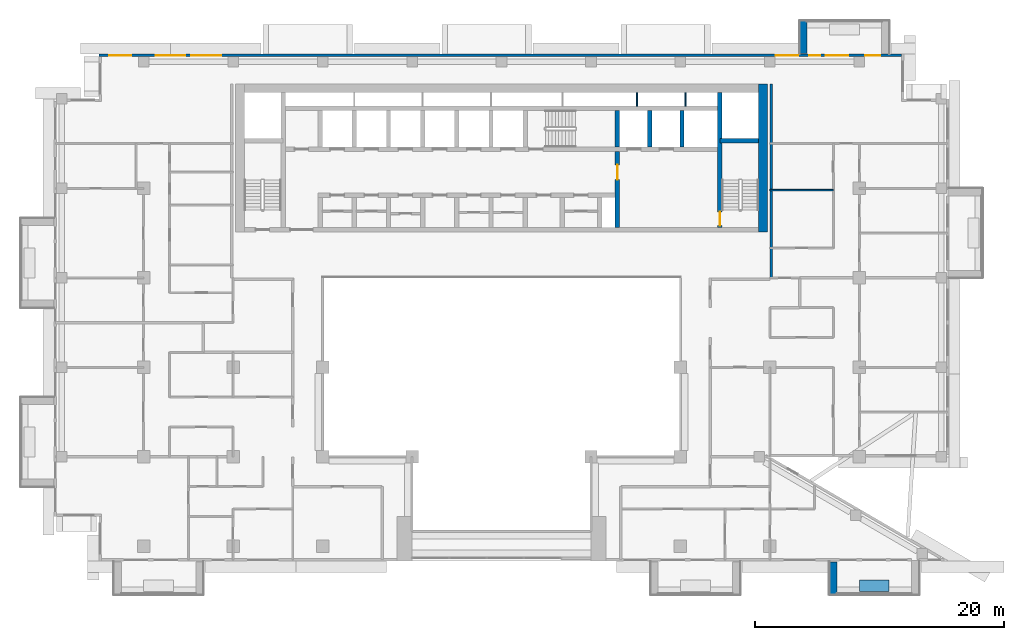
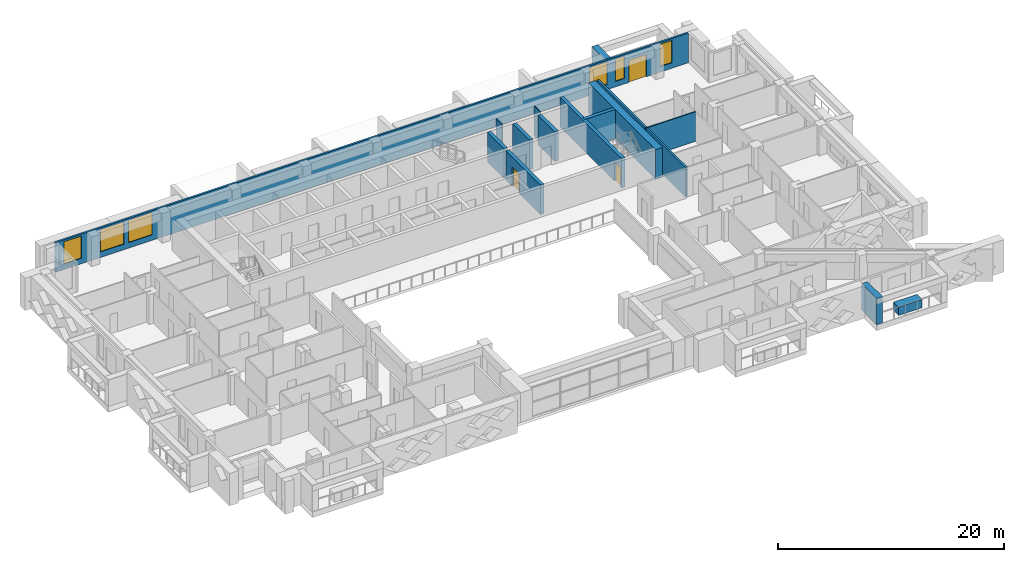
# One storey, part 11 of 20: 15 walls, 6 windows, 3 doors, 9 openings.
"""IFC4 building model written with IfcOpenShell, lengths in metres."""

from ifc_helpers import new_model, si_unit, direction, frame, frame_2d, origin, place, context, subcontext, project, spatial, rectangle, extrude, material, layer, layer_set, type_object, element, fill, save


model = new_model("IFC4")

# Units and contexts
model_context = context("Model", 3, precision=1e-05, world=origin(), true_north=direction((0.0, 1.0)))
body_context = subcontext(model_context, "Body", "Model", "MODEL_VIEW")
ifc_project = project(units=[si_unit("LENGTHUNIT", "METRE"), si_unit("AREAUNIT", "SQUARE_METRE"), si_unit("VOLUMEUNIT", "CUBIC_METRE"), si_unit("PLANEANGLEUNIT", "RADIAN"), si_unit("MASSUNIT", "GRAM", prefix="KILO")], contexts=[model_context])

# Site, building, storey
site_placement = place(None, origin())
site = spatial("IfcSite", under=ifc_project, at=site_placement, CompositionType="ELEMENT")
building_placement = place(site_placement, origin())
building = spatial("IfcBuilding", under=site, at=building_placement, Name="Saffron Iwan Residences", CompositionType="ELEMENT")
storey_placement = place(building_placement, frame((0.0, 0.0, 157.0)))
storey = spatial("IfcBuildingStorey", under=building, at=storey_placement, Name="L41", CompositionType="ELEMENT", Elevation=157.0)

# Walls
ifc_material_1 = material(Name="Concrete C50/60 white painted", Category="concrete")
ifc_layer_1 = layer(ifc_material_1, 0.60009765625)
ifc_layer_set_1 = layer_set([ifc_layer_1], Name="Concrete C50/60 white painted")
wall_type_1 = type_object("IfcWallType", Name="BALCONY FIN 600", PredefinedType="SOLIDWALL", material=ifc_layer_set_1)
for number, where, z_axis, x_axis, name in (
    (1, (74.699951171875, 80.449951171875, 0.0), (0.0, 0.0, 1.0), (0.0, 1.0, 0.0), "Balcony fin L41 F5-0b"),
    (2, (77.10009765625, 39.550048828125, 0.0), (0.0, 0.0, 1.0), (0.0, -1.0, 0.0), "Balcony fin L41 11-3a"),
):
    element("IfcWall", number, at=place(storey_placement, frame(where, z_axis=z_axis, x_axis=x_axis)), inside=storey, type_object=wall_type_1, Name=name, PredefinedType="SOLIDWALL", context=body_context, shape_type="SweptSolid", body=[
        extrude(rectangle(XDim=2.650146484375, YDim=0.60009765625, at=frame_2d((1.3251953125, 0.0))), origin(), (0.0, 0.0, 1.0), 2.85009765625),
    ])
ifc_material_2 = material(Name="Concrete C35/45 white painted", Category="concrete")
ifc_layer_2 = layer(ifc_material_2, 0.14990234375)
ifc_layer_set_2 = layer_set([ifc_layer_2], Name="Concrete C35/45 white painted")
wall_type_2 = type_object("IfcWallType", Name="BALCONY PLANTER", PredefinedType="SOLIDWALL", material=ifc_layer_set_2)
wall_1_placement = place(storey_placement, frame((79.199951171875, 37.625, 0.0), z_axis=(0.0, 0.0, 1.0), x_axis=(1.0, 0.0, 0.0)))
element("IfcWall", 3, at=wall_1_placement, inside=storey, type_object=wall_type_2, Name="PLANTER L41 11-3", PredefinedType="SOLIDWALL", context=body_context, shape_type="SweptSolid", body=[
    extrude(rectangle(XDim=2.400146484375, YDim=0.89990234375, at=frame_2d((1.2001953125, 0.0))), origin(), (0.0, 0.0, 1.0), 0.89990234375),
])

# Wall, openings, door, windows
ifc_material_3 = material(Name="Concrete C40/50", Category="concrete")
ifc_layer_3 = layer(ifc_material_3, 0.199951171875)
ifc_layer_set_3 = layer_set([ifc_layer_3], Name="Concrete C40/50")
wall_type_3 = type_object("IfcWallType", Name="EXTERNAL WALL 200", PredefinedType="SOLIDWALL", material=ifc_layer_set_3)
wall_2_placement = place(storey_placement, frame((82.60009765625, 80.300048828125, 0.0), z_axis=(0.0, 0.0, 1.0), x_axis=(-1.0, 0.0, 0.0)))
wall_2 = element("IfcWall", 4, at=wall_2_placement, inside=storey, type_object=wall_type_3, Name="External wall L41 F5.0", PredefinedType="SOLIDWALL", context=body_context, shape_type="SweptSolid", body=[
    extrude(rectangle(XDim=64.60009765625, YDim=0.199951171875, at=frame_2d((32.300048828125, 0.0))), origin(), (0.0, 0.0, 1.0), 3.199951171875),
])
opening_1_placement = place(wall_2_placement, frame((4.300048828125, 0.0, 0.0)))
opening_1 = element("IfcOpeningElement", 5, at=opening_1_placement, cuts=wall_2, Name="Opening BD1", PredefinedType="OPENING", context=body_context, shape_type="SweptSolid", body=[
    extrude(rectangle(XDim=1.800048828125, YDim=2.39990234375, at=frame_2d((0.89990234375, 1.199951171875))), frame((0.0, 0.10986328125, 0.0), z_axis=(0.0, -1.0, 0.0), x_axis=(1.0, 0.0, 0.0)), (0.0, 0.0, 1.0), 0.219970703125),
])
opening_2_placement = place(wall_2_placement, frame((54.75830078125, 0.0, 0.60009765625)))
opening_2 = element("IfcOpeningElement", 6, at=opening_2_placement, cuts=wall_2, Name="Opening W1", PredefinedType="OPENING", context=body_context, shape_type="SweptSolid", body=[
    extrude(rectangle(XDim=2.39990234375, YDim=2.39990234375, at=frame_2d((1.199951171875, 1.199951171875))), frame((0.0, 0.10986328125, 0.0), z_axis=(0.0, -1.0, 0.0), x_axis=(1.0, 0.0, 0.0)), (0.0, 0.0, 1.0), 0.219970703125),
])
opening_3_placement = place(wall_2_placement, frame((57.6416015625, 0.0, 0.60009765625)))
opening_3 = element("IfcOpeningElement", 7, at=opening_3_placement, cuts=wall_2, Name="Opening W1", PredefinedType="OPENING", context=body_context, shape_type="SweptSolid", body=[
    extrude(rectangle(XDim=2.39990234375, YDim=2.39990234375, at=frame_2d((1.199951171875, 1.199951171875))), frame((0.0, 0.10986328125, 0.0), z_axis=(0.0, -1.0, 0.0), x_axis=(1.0, 0.0, 0.0)), (0.0, 0.0, 1.0), 0.219970703125),
])
opening_4_placement = place(wall_2_placement, frame((61.987548828125, 0.0, 0.60009765625)))
opening_4 = element("IfcOpeningElement", 8, at=opening_4_placement, cuts=wall_2, Name="Opening W8", PredefinedType="OPENING", context=body_context, shape_type="SweptSolid", body=[
    extrude(rectangle(XDim=1.800048828125, YDim=2.39990234375, at=frame_2d((0.89990234375, 1.199951171875))), frame((0.0, 0.10986328125, 0.0), z_axis=(0.0, -1.0, 0.0), x_axis=(1.0, 0.0, 0.0)), (0.0, 0.0, 1.0), 0.219970703125),
])
opening_5_placement = place(wall_2_placement, frame((1.71240234375, 0.0, 0.60009765625)))
opening_5 = element("IfcOpeningElement", 9, at=opening_5_placement, cuts=wall_2, Name="Opening W3", PredefinedType="OPENING", context=body_context, shape_type="SweptSolid", body=[
    extrude(rectangle(XDim=1.199951171875, YDim=2.39990234375, at=frame_2d((0.60009765625, 1.199951171875))), frame((0.0, 0.10986328125, 0.0), z_axis=(0.0, -1.0, 0.0), x_axis=(1.0, 0.0, 0.0)), (0.0, 0.0, 1.0), 0.219970703125),
])
opening_6_placement = place(wall_2_placement, frame((6.550048828125, 0.0, 0.60009765625)))
opening_6 = element("IfcOpeningElement", 10, at=opening_6_placement, cuts=wall_2, Name="Opening W10", PredefinedType="OPENING", context=body_context, shape_type="SweptSolid", body=[
    extrude(rectangle(XDim=0.89990234375, YDim=2.39990234375, at=frame_2d((0.449951171875, 1.199951171875))), frame((0.0, 0.10986328125, 0.0), z_axis=(0.0, -1.0, 0.0), x_axis=(1.0, 0.0, 0.0)), (0.0, 0.0, 1.0), 0.219970703125),
])
opening_7_placement = place(wall_2_placement, frame((8.3125, 0.0, 0.60009765625)))
opening_7 = element("IfcOpeningElement", 11, at=opening_7_placement, cuts=wall_2, Name="Opening W8", PredefinedType="OPENING", context=body_context, shape_type="SweptSolid", body=[
    extrude(rectangle(XDim=1.800048828125, YDim=2.39990234375, at=frame_2d((0.89990234375, 1.199951171875))), frame((0.0, 0.10986328125, 0.0), z_axis=(0.0, -1.0, 0.0), x_axis=(1.0, 0.0, 0.0)), (0.0, 0.0, 1.0), 0.219970703125),
])
ifc_material_4 = material(Name="Clear glass, laminated double glazed", Category="glass")
door_type_1 = type_object("IfcDoorType", Name="BALCONY DOOR 1800 x 2400", OperationType="DOUBLE_DOOR_SLIDING", PredefinedType="DOOR", material=ifc_material_4)
door_1_placement = place(opening_1_placement, origin())
door_1 = element("IfcDoor", 12, at=door_1_placement, inside=storey, type_object=door_type_1, Name="Balcony door L41 F5.0", OperationType="DOUBLE_DOOR_SLIDING", OverallHeight=2.39990234375, OverallWidth=1.800048828125, PredefinedType="DOOR", context=body_context, shape_type="SweptSolid", body=[
    extrude(rectangle(XDim=1.800048828125, YDim=2.39990234375, at=frame_2d((0.89990234375, 1.199951171875))), frame((0.0, 0.02490234375, 0.0), z_axis=(0.0, -1.0, 0.0), x_axis=(1.0, 0.0, 0.0)), (0.0, 0.0, 1.0), 0.050048828125),
])
fill(opening_1, door_1)
window_type_1 = type_object("IfcWindowType", Name="WINDOW 1200 x 2400", PartitioningType="SINGLE_PANEL", PredefinedType="WINDOW", material=ifc_material_4)
window_1_placement = place(opening_5_placement, origin())
window_1 = element("IfcWindow", 13, at=window_1_placement, inside=storey, type_object=window_type_1, Name="Window L41 F5.4", OverallHeight=2.39990234375, OverallWidth=1.199951171875, PartitioningType="SINGLE_PANEL", PredefinedType="WINDOW", context=body_context, shape_type="SweptSolid", body=[
    extrude(rectangle(XDim=1.199951171875, YDim=2.39990234375, at=frame_2d((0.60009765625, 1.199951171875))), frame((0.0, 0.030029296875, 0.0), z_axis=(0.0, -1.0, 0.0), x_axis=(1.0, 0.0, 0.0)), (0.0, 0.0, 1.0), 0.06005859375),
])
fill(opening_5, window_1)
window_type_2 = type_object("IfcWindowType", Name="WINDOW 1800 x 2400", PartitioningType="DOUBLE_PANEL_VERTICAL", PredefinedType="WINDOW", material=ifc_material_4)
window_2_placement = place(opening_4_placement, origin())
window_2 = element("IfcWindow", 14, at=window_2_placement, inside=storey, type_object=window_type_2, Name="Window L41 F5.3", OverallHeight=2.39990234375, OverallWidth=1.800048828125, PartitioningType="DOUBLE_PANEL_VERTICAL", PredefinedType="WINDOW", context=body_context, shape_type="SweptSolid", body=[
    extrude(rectangle(XDim=1.800048828125, YDim=2.39990234375, at=frame_2d((0.89990234375, 1.199951171875))), frame((0.0, 0.030029296875, 0.0), z_axis=(0.0, -1.0, 0.0), x_axis=(1.0, 0.0, 0.0)), (0.0, 0.0, 1.0), 0.06005859375),
])
fill(opening_4, window_2)
window_3_placement = place(opening_7_placement, origin())
window_3 = element("IfcWindow", 15, at=window_3_placement, inside=storey, type_object=window_type_2, Name="Window L41 F5.6", OverallHeight=2.39990234375, OverallWidth=1.800048828125, PartitioningType="DOUBLE_PANEL_VERTICAL", PredefinedType="WINDOW", context=body_context, shape_type="SweptSolid", body=[
    extrude(rectangle(XDim=1.800048828125, YDim=2.39990234375, at=frame_2d((0.89990234375, 1.199951171875))), frame((0.0, 0.030029296875, 0.0), z_axis=(0.0, -1.0, 0.0), x_axis=(1.0, 0.0, 0.0)), (0.0, 0.0, 1.0), 0.06005859375),
])
fill(opening_7, window_3)
window_type_3 = type_object("IfcWindowType", Name="WINDOW 2400 x 2400", PartitioningType="DOUBLE_PANEL_VERTICAL", PredefinedType="WINDOW", material=ifc_material_4)
window_4_placement = place(opening_2_placement, origin())
window_4 = element("IfcWindow", 16, at=window_4_placement, inside=storey, type_object=window_type_3, Name="Window L41 F5.1", OverallHeight=2.39990234375, OverallWidth=2.39990234375, PartitioningType="DOUBLE_PANEL_VERTICAL", PredefinedType="WINDOW", context=body_context, shape_type="SweptSolid", body=[
    extrude(rectangle(XDim=2.39990234375, YDim=2.39990234375, at=frame_2d((1.199951171875, 1.199951171875))), frame((0.0, 0.030029296875, 0.0), z_axis=(0.0, -1.0, 0.0), x_axis=(1.0, 0.0, 0.0)), (0.0, 0.0, 1.0), 0.06005859375),
])
fill(opening_2, window_4)
window_5_placement = place(opening_3_placement, origin())
window_5 = element("IfcWindow", 17, at=window_5_placement, inside=storey, type_object=window_type_3, Name="Window L41 F5.2", OverallHeight=2.39990234375, OverallWidth=2.39990234375, PartitioningType="DOUBLE_PANEL_VERTICAL", PredefinedType="WINDOW", context=body_context, shape_type="SweptSolid", body=[
    extrude(rectangle(XDim=2.39990234375, YDim=2.39990234375, at=frame_2d((1.199951171875, 1.199951171875))), frame((0.0, 0.030029296875, 0.0), z_axis=(0.0, -1.0, 0.0), x_axis=(1.0, 0.0, 0.0)), (0.0, 0.0, 1.0), 0.06005859375),
])
fill(opening_3, window_5)
window_type_4 = type_object("IfcWindowType", Name="WINDOW 900 x 2400", PartitioningType="SINGLE_PANEL", PredefinedType="WINDOW", material=ifc_material_4)
window_6_placement = place(opening_6_placement, origin())
window_6 = element("IfcWindow", 18, at=window_6_placement, inside=storey, type_object=window_type_4, Name="Window L41 F5.5", OverallHeight=2.39990234375, OverallWidth=0.89990234375, PartitioningType="SINGLE_PANEL", PredefinedType="WINDOW", context=body_context, shape_type="SweptSolid", body=[
    extrude(rectangle(XDim=0.89990234375, YDim=2.39990234375, at=frame_2d((0.449951171875, 1.199951171875))), frame((0.0, 0.030029296875, 0.0), z_axis=(0.0, -1.0, 0.0), x_axis=(1.0, 0.0, 0.0)), (0.0, 0.0, 1.0), 0.06005859375),
])
fill(opening_6, window_6)

# Walls
ifc_material_5 = material(Name="Gypsum board partition")
ifc_layer_4 = layer(ifc_material_5, 0.1201171875)
ifc_layer_set_4 = layer_set([ifc_layer_4], Name="Gypsum board partition")
wall_type_4 = type_object("IfcWallType", Name="Flat partition 120", PredefinedType="PARTITIONING", material=ifc_layer_set_4)
wall_3_placement = place(storey_placement, frame((72.0, 69.449951171875, 0.0), z_axis=(0.0, 0.0, 1.0), x_axis=(1.0, 0.0, 0.0)))
element("IfcWall", 19, at=wall_3_placement, inside=storey, type_object=wall_type_4, Name="W-L41-PART-h69.45-72", PredefinedType="PARTITIONING", context=body_context, shape_type="SweptSolid", body=[
    extrude(rectangle(XDim=5.10009765625, YDim=0.1201171875, at=frame_2d((2.550048828125, 0.0))), origin(), (0.0, 0.0, 1.0), 3.199951171875),
])
ifc_material_6 = material(Name="Fire-rated gypsum board wall")
ifc_layer_5 = layer(ifc_material_6, 0.199951171875)
ifc_layer_set_5 = layer_set([ifc_layer_5], Name="Fire-rated gypsum board wall")
wall_type_5 = type_object("IfcWallType", Name="Gallery wall 200", PredefinedType="SOLIDWALL", material=ifc_layer_set_5)
wall_4_placement = place(storey_placement, frame((72.10009765625, 62.39990234375, 0.0), z_axis=(0.0, 0.0, 1.0), x_axis=(0.0, 1.0, 0.0)))
element("IfcWall", 20, at=wall_4_placement, inside=storey, type_object=wall_type_5, Name="W-L41-CORR-v72-62.4", PredefinedType="SOLIDWALL", context=body_context, shape_type="SweptSolid", body=[
    extrude(rectangle(XDim=15.60009765625, YDim=0.199951171875, at=frame_2d((7.800048828125, 0.0))), origin(), (0.0, 0.0, 1.0), 3.199951171875),
])
ifc_material_7 = material(Name="Fire-rated plasterboard partition")
ifc_layer_6 = layer(ifc_material_7, 0.10009765625)
ifc_layer_set_6 = layer_set([ifc_layer_6], Name="Fire-rated plasterboard partition")
wall_type_6 = type_object("IfcWallType", Name="Riser partition 100", PredefinedType="PARTITIONING", material=ifc_layer_set_6)
for number, where, z_axis, x_axis, name in (
    (21, (61.300048828125, 76.22509765625, 0.0), (0.0, 0.0, 1.0), (0.0, 1.0, 0.0), "Core partition P11"),
    (22, (65.199951171875, 76.22509765625, 0.0), (0.0, 0.0, 1.0), (0.0, 1.0, 0.0), "Core partition P12"),
):
    element("IfcWall", number, at=place(storey_placement, frame(where, z_axis=z_axis, x_axis=x_axis)), inside=storey, type_object=wall_type_6, Name=name, PredefinedType="PARTITIONING", context=body_context, shape_type="SweptSolid", body=[
        extrude(rectangle(XDim=1.074951171875, YDim=0.10009765625, at=frame_2d((0.53759765625, 0.0))), origin(), (0.0, 0.0, 1.0), 3.199951171875),
    ])
ifc_material_8 = material(Name="Concrete C50/60", Category="concrete")
ifc_layer_7 = layer(ifc_material_8, 0.35009765625)
ifc_layer_set_7 = layer_set([ifc_layer_7], Name="Concrete C50/60")
wall_type_7 = type_object("IfcWallType", Name="WALL CORE 350 C50/60 3200 HIGH", PredefinedType="SHEAR", material=ifc_layer_set_7)
wall_5_placement = place(storey_placement, frame((67.97509765625, 73.425048828125, 0.0), z_axis=(0.0, 0.0, 1.0), x_axis=(1.0, 0.0, 0.0)))
element("IfcWall", 23, at=wall_5_placement, inside=storey, type_object=wall_type_7, Name="Core wall", PredefinedType="SHEAR", context=body_context, shape_type="SweptSolid", body=[
    extrude(rectangle(XDim=3.125, YDim=0.35009765625, at=frame_2d((1.5625, 0.0))), origin(), (0.0, 0.0, 1.0), 3.199951171875),
])

# Wall, opening, door
wall_6_placement = place(storey_placement, frame((67.97509765625, 66.449951171875, 0.0), z_axis=(0.0, 0.0, 1.0), x_axis=(0.0, 1.0, 0.0)))
wall_6 = element("IfcWall", 24, at=wall_6_placement, inside=storey, type_object=wall_type_7, Name="Core wall", PredefinedType="SHEAR", context=body_context, shape_type="SweptSolid", body=[
    extrude(rectangle(XDim=10.85009765625, YDim=0.35009765625, at=frame_2d((5.425048828125, 0.0))), origin(), (0.0, 0.0, 1.0), 3.199951171875),
])
opening_8_placement = place(wall_6_placement, frame((0.14990234375, 0.0, 0.0)))
opening_8 = element("IfcOpeningElement", 25, at=opening_8_placement, cuts=wall_6, Name="Opening SD", PredefinedType="OPENING", context=body_context, shape_type="SweptSolid", body=[
    extrude(rectangle(XDim=1.10009765625, YDim=2.10009765625, at=frame_2d((0.550048828125, 1.050048828125))), frame((0.0, 0.18505859375, 0.0), z_axis=(0.0, -1.0, 0.0), x_axis=(1.0, 0.0, 0.0)), (0.0, 0.0, 1.0), 0.3701171875),
])
ifc_material_9 = material(Name="Steel fire door", Category="steel")
door_type_2 = type_object("IfcDoorType", Name="Stair door 1100", OperationType="NOTDEFINED", PredefinedType="DOOR", material=ifc_material_9)
door_2_placement = place(opening_8_placement, origin())
door_2 = element("IfcDoor", 26, at=door_2_placement, inside=storey, type_object=door_type_2, Name="Stair door ST-E", OperationType="SINGLE_SWING_LEFT", OverallHeight=2.10009765625, OverallWidth=1.10009765625, PredefinedType="DOOR", context=body_context, shape_type="SweptSolid", body=[
    extrude(rectangle(XDim=1.10009765625, YDim=2.10009765625, at=frame_2d((0.550048828125, 1.050048828125))), frame((0.0, 0.02490234375, 0.0), z_axis=(0.0, -1.0, 0.0), x_axis=(1.0, 0.0, 0.0)), (0.0, 0.0, 1.0), 0.050048828125),
])
fill(opening_8, door_2)

wall_7_placement = place(storey_placement, frame((59.72509765625, 66.449951171875, 0.0), z_axis=(0.0, 0.0, 1.0), x_axis=(0.0, 1.0, 0.0)))
wall_7 = element("IfcWall", 27, at=wall_7_placement, inside=storey, type_object=wall_type_7, Name="Core wall", PredefinedType="SHEAR", context=body_context, shape_type="SweptSolid", body=[
    extrude(rectangle(XDim=6.125, YDim=0.35009765625, at=frame_2d((3.0625, 0.0))), origin(), (0.0, 0.0, 1.0), 3.199951171875),
])
opening_9_placement = place(wall_7_placement, frame((3.85009765625, 0.0, 0.0)))
opening_9 = element("IfcOpeningElement", 28, at=opening_9_placement, cuts=wall_7, Name="Opening FD", PredefinedType="OPENING", context=body_context, shape_type="SweptSolid", body=[
    extrude(rectangle(XDim=1.199951171875, YDim=2.10009765625, at=frame_2d((0.60009765625, 1.050048828125))), frame((0.0, 0.18505859375, 0.0), z_axis=(0.0, -1.0, 0.0), x_axis=(1.0, 0.0, 0.0)), (0.0, 0.0, 1.0), 0.3701171875),
])
door_type_3 = type_object("IfcDoorType", Name="Firefighting lobby door 1200", OperationType="NOTDEFINED", PredefinedType="DOOR", material=ifc_material_9)
door_3_placement = place(opening_9_placement, origin())
door_3 = element("IfcDoor", 29, at=door_3_placement, inside=storey, type_object=door_type_3, Name="Firefighting lobby door", OperationType="SINGLE_SWING_LEFT", OverallHeight=2.10009765625, OverallWidth=1.199951171875, PredefinedType="DOOR", context=body_context, shape_type="SweptSolid", body=[
    extrude(rectangle(XDim=1.199951171875, YDim=2.10009765625, at=frame_2d((0.60009765625, 1.050048828125))), frame((0.0, 0.02490234375, 0.0), z_axis=(0.0, -1.0, 0.0), x_axis=(1.0, 0.0, 0.0)), (0.0, 0.0, 1.0), 0.050048828125),
])
fill(opening_9, door_3)

# Walls
for number, where, z_axis, x_axis, name in (
    (30, (59.72509765625, 72.925048828125, 0.0), (0.0, 0.0, 1.0), (0.0, 1.0, 0.0), "Core wall"),
    (31, (62.324951171875, 72.925048828125, 0.0), (0.0, 0.0, 1.0), (0.0, 1.0, 0.0), "Core wall"),
    (32, (64.925048828125, 72.925048828125, 0.0), (0.0, 0.0, 1.0), (0.0, 1.0, 0.0), "Core wall"),
):
    element("IfcWall", number, at=place(storey_placement, frame(where, z_axis=z_axis, x_axis=x_axis)), inside=storey, type_object=wall_type_7, Name=name, PredefinedType="SHEAR", context=body_context, shape_type="SweptSolid", body=[
        extrude(rectangle(XDim=2.949951171875, YDim=0.35009765625, at=frame_2d((1.47509765625, 0.0))), origin(), (0.0, 0.0, 1.0), 3.199951171875),
    ])
ifc_layer_8 = layer(ifc_material_8, 0.699951171875)
ifc_layer_set_8 = layer_set([ifc_layer_8], Name="Concrete C50/60")
wall_type_8 = type_object("IfcWallType", Name="WALL CORE 700 C50/60 3200 HIGH", PredefinedType="SHEAR", material=ifc_layer_set_8)
wall_8_placement = place(storey_placement, frame((71.449951171875, 66.10009765625, 0.0), z_axis=(0.0, 0.0, 1.0), x_axis=(0.0, 1.0, 0.0)))
element("IfcWall", 33, at=wall_8_placement, inside=storey, type_object=wall_type_8, Name="Core wall", PredefinedType="SHEAR", context=body_context, shape_type="SweptSolid", body=[
    extrude(rectangle(XDim=11.89990234375, YDim=0.699951171875, at=frame_2d((5.949951171875, 0.0))), origin(), (0.0, 0.0, 1.0), 3.199951171875),
])

save(model, "model.ifc")
